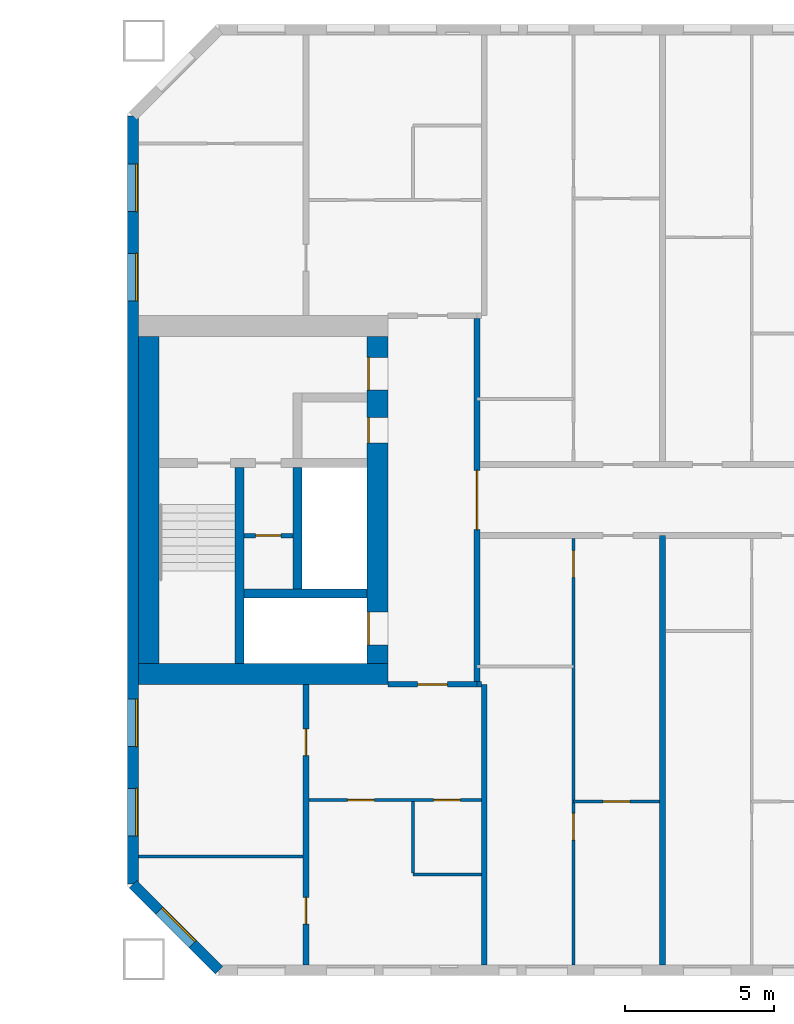
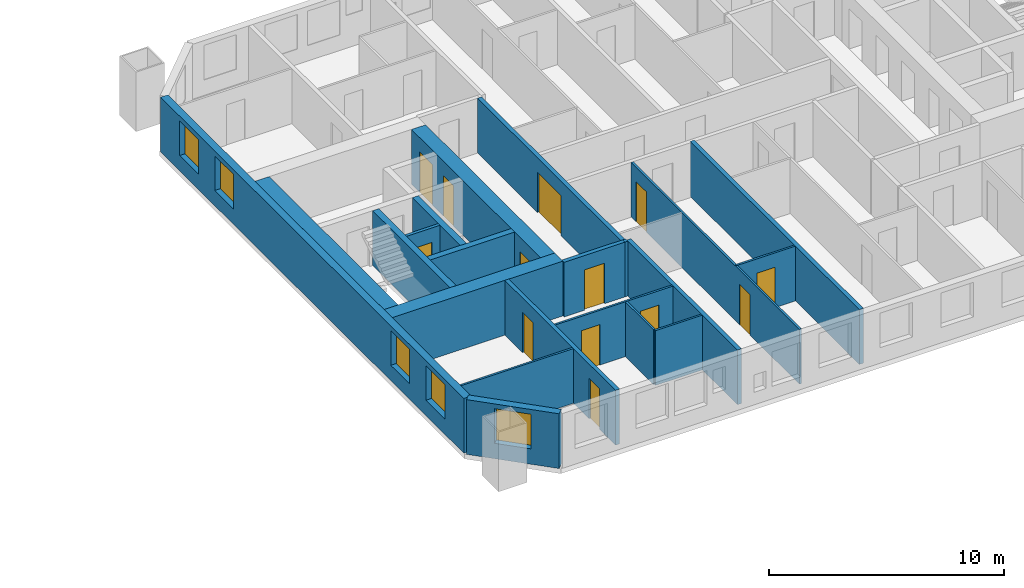
# One storey, part 9 of 17: 21 walls, 13 doors, 5 windows, 18 openings.
"""IFC4 building model written with IfcOpenShell, lengths in metres."""

from ifc_helpers import new_model, si_unit, direction, frame, frame_2d, origin, place, context, subcontext, project, spatial, rectangle, extrude, material, layer, layer_set, type_object, element, fill, save


model = new_model("IFC4")

# Units and contexts
model_context = context("Model", 3, precision=1e-05, world=origin(), true_north=direction((0.0, 1.0)))
body_context = subcontext(model_context, "Body", "Model", "MODEL_VIEW")
ifc_project = project(units=[si_unit("LENGTHUNIT", "METRE"), si_unit("AREAUNIT", "SQUARE_METRE"), si_unit("VOLUMEUNIT", "CUBIC_METRE"), si_unit("PLANEANGLEUNIT", "RADIAN"), si_unit("MASSUNIT", "GRAM", prefix="KILO")], contexts=[model_context])

# Site, building, storey
site_placement = place(None, origin())
site = spatial("IfcSite", under=ifc_project, at=site_placement, CompositionType="ELEMENT")
building_placement = place(site_placement, origin())
building = spatial("IfcBuilding", under=site, at=building_placement, Name="Tuart Gate Housing", CompositionType="ELEMENT")
storey_placement = place(building_placement, frame((0.0, 0.0, 77.800048828125)))
storey = spatial("IfcBuildingStorey", under=building, at=storey_placement, Name="L21", CompositionType="ELEMENT", Elevation=77.800048828125)

# Wall, opening, window
ifc_material_1 = material(Name="Brick", Category="masonry")
ifc_layer_1 = layer(ifc_material_1, 0.360107421875)
ifc_layer_set_1 = layer_set([ifc_layer_1], Name="Brick pier and spandrel wall 360")
wall_type_1 = type_object("IfcWallType", Name="Brick pier and spandrel wall 360", PredefinedType="STANDARD", material=ifc_layer_set_1)
wall_1_placement = place(storey_placement, frame((131.179931640625, 57.07470703125, 0.0), z_axis=(0.0, 0.0, 1.0), x_axis=(0.707106781187, -0.707106781187, 0.0)))
wall_1 = element("IfcWall", 1, at=wall_1_placement, inside=storey, type_object=wall_type_1, Name="External wall B-SW L21", PredefinedType="STANDARD", context=body_context, shape_type="SweptSolid", body=[
    extrude(rectangle(XDim=4.09375, YDim=0.360107421875, at=frame_2d((2.046875, 0.0))), origin(), (0.0, 0.0, 1.0), 2.849853515625),
])
opening_1_placement = place(wall_1_placement, frame((1.2470703125, 0.0, 0.800048828125)))
opening_1 = element("IfcOpeningElement", 2, at=opening_1_placement, cuts=wall_1, Name="Opening W1", PredefinedType="OPENING", context=body_context, shape_type="SweptSolid", body=[
    extrude(rectangle(XDim=1.60009765625, YDim=1.800048828125, at=frame_2d((0.800048828125, 0.89990234375))), frame((0.0, 0.18994140625, 0.0), z_axis=(0.0, -1.0, 0.0), x_axis=(1.0, 0.0, 0.0)), (0.0, 0.0, 1.0), 0.380126953125),
])
ifc_material_2 = material(Name="Aluminium frame with clear glass", Category="aluminium")
window_type = type_object("IfcWindowType", Name="Punched window 1600 x 1800", PartitioningType="SINGLE_PANEL", PredefinedType="WINDOW", material=ifc_material_2)
window_1_placement = place(opening_1_placement, origin())
window_1 = element("IfcWindow", 3, at=window_1_placement, inside=storey, type_object=window_type, Name="Window W1", OverallHeight=1.800048828125, OverallWidth=1.60009765625, PartitioningType="SINGLE_PANEL", PredefinedType="WINDOW", context=body_context, shape_type="SweptSolid", body=[
    extrude(rectangle(XDim=1.60009765625, YDim=1.800048828125, at=frame_2d((0.800048828125, 0.89990234375))), frame((0.0, 0.150146484375, 0.0), z_axis=(0.0, -1.0, 0.0), x_axis=(1.0, 0.0, 0.0)), (0.0, 0.0, 1.0), 0.06005859375),
])
fill(opening_1, window_1)

# Wall, openings, windows
wall_2_placement = place(storey_placement, frame((131.179931640625, 82.92529296875, 0.0), z_axis=(0.0, 0.0, 1.0), x_axis=(0.0, -1.0, 0.0)))
wall_2 = element("IfcWall", 4, at=wall_2_placement, inside=storey, type_object=wall_type_1, Name="External wall B-W L21", PredefinedType="STANDARD", context=body_context, shape_type="SweptSolid", body=[
    extrude(rectangle(XDim=25.850830078125, YDim=0.360107421875, at=frame_2d((12.92529296875, 0.0))), origin(), (0.0, 0.0, 1.0), 2.849853515625),
])
opening_2_placement = place(wall_2_placement, frame((1.62548828125, 0.0, 0.800048828125)))
opening_2 = element("IfcOpeningElement", 5, at=opening_2_placement, cuts=wall_2, Name="Opening W1", PredefinedType="OPENING", context=body_context, shape_type="SweptSolid", body=[
    extrude(rectangle(XDim=1.60009765625, YDim=1.800048828125, at=frame_2d((0.800048828125, 0.89990234375))), frame((0.0, 0.18994140625, 0.0), z_axis=(0.0, -1.0, 0.0), x_axis=(1.0, 0.0, 0.0)), (0.0, 0.0, 1.0), 0.380126953125),
])
opening_3_placement = place(wall_2_placement, frame((4.62548828125, 0.0, 0.800048828125)))
opening_3 = element("IfcOpeningElement", 6, at=opening_3_placement, cuts=wall_2, Name="Opening W1", PredefinedType="OPENING", context=body_context, shape_type="SweptSolid", body=[
    extrude(rectangle(XDim=1.60009765625, YDim=1.800048828125, at=frame_2d((0.800048828125, 0.89990234375))), frame((0.0, 0.18994140625, 0.0), z_axis=(0.0, -1.0, 0.0), x_axis=(1.0, 0.0, 0.0)), (0.0, 0.0, 1.0), 0.380126953125),
])
opening_4_placement = place(wall_2_placement, frame((19.62548828125, 0.0, 0.800048828125)))
opening_4 = element("IfcOpeningElement", 7, at=opening_4_placement, cuts=wall_2, Name="Opening W1", PredefinedType="OPENING", context=body_context, shape_type="SweptSolid", body=[
    extrude(rectangle(XDim=1.60009765625, YDim=1.800048828125, at=frame_2d((0.800048828125, 0.89990234375))), frame((0.0, 0.18994140625, 0.0), z_axis=(0.0, -1.0, 0.0), x_axis=(1.0, 0.0, 0.0)), (0.0, 0.0, 1.0), 0.380126953125),
])
opening_5_placement = place(wall_2_placement, frame((22.62548828125, 0.0, 0.800048828125)))
opening_5 = element("IfcOpeningElement", 8, at=opening_5_placement, cuts=wall_2, Name="Opening W1", PredefinedType="OPENING", context=body_context, shape_type="SweptSolid", body=[
    extrude(rectangle(XDim=1.60009765625, YDim=1.800048828125, at=frame_2d((0.800048828125, 0.89990234375))), frame((0.0, 0.18994140625, 0.0), z_axis=(0.0, -1.0, 0.0), x_axis=(1.0, 0.0, 0.0)), (0.0, 0.0, 1.0), 0.380126953125),
])
window_2_placement = place(opening_2_placement, origin())
window_2 = element("IfcWindow", 9, at=window_2_placement, inside=storey, type_object=window_type, Name="Window W1", OverallHeight=1.800048828125, OverallWidth=1.60009765625, PartitioningType="SINGLE_PANEL", PredefinedType="WINDOW", context=body_context, shape_type="SweptSolid", body=[
    extrude(rectangle(XDim=1.60009765625, YDim=1.800048828125, at=frame_2d((0.800048828125, 0.89990234375))), frame((0.0, 0.150146484375, 0.0), z_axis=(0.0, -1.0, 0.0), x_axis=(1.0, 0.0, 0.0)), (0.0, 0.0, 1.0), 0.06005859375),
])
fill(opening_2, window_2)
window_3_placement = place(opening_3_placement, origin())
window_3 = element("IfcWindow", 10, at=window_3_placement, inside=storey, type_object=window_type, Name="Window W1", OverallHeight=1.800048828125, OverallWidth=1.60009765625, PartitioningType="SINGLE_PANEL", PredefinedType="WINDOW", context=body_context, shape_type="SweptSolid", body=[
    extrude(rectangle(XDim=1.60009765625, YDim=1.800048828125, at=frame_2d((0.800048828125, 0.89990234375))), frame((0.0, 0.150146484375, 0.0), z_axis=(0.0, -1.0, 0.0), x_axis=(1.0, 0.0, 0.0)), (0.0, 0.0, 1.0), 0.06005859375),
])
fill(opening_3, window_3)
window_4_placement = place(opening_4_placement, origin())
window_4 = element("IfcWindow", 11, at=window_4_placement, inside=storey, type_object=window_type, Name="Window W1", OverallHeight=1.800048828125, OverallWidth=1.60009765625, PartitioningType="SINGLE_PANEL", PredefinedType="WINDOW", context=body_context, shape_type="SweptSolid", body=[
    extrude(rectangle(XDim=1.60009765625, YDim=1.800048828125, at=frame_2d((0.800048828125, 0.89990234375))), frame((0.0, 0.150146484375, 0.0), z_axis=(0.0, -1.0, 0.0), x_axis=(1.0, 0.0, 0.0)), (0.0, 0.0, 1.0), 0.06005859375),
])
fill(opening_4, window_4)
window_5_placement = place(opening_5_placement, origin())
window_5 = element("IfcWindow", 12, at=window_5_placement, inside=storey, type_object=window_type, Name="Window W1", OverallHeight=1.800048828125, OverallWidth=1.60009765625, PartitioningType="SINGLE_PANEL", PredefinedType="WINDOW", context=body_context, shape_type="SweptSolid", body=[
    extrude(rectangle(XDim=1.60009765625, YDim=1.800048828125, at=frame_2d((0.800048828125, 0.89990234375))), frame((0.0, 0.150146484375, 0.0), z_axis=(0.0, -1.0, 0.0), x_axis=(1.0, 0.0, 0.0)), (0.0, 0.0, 1.0), 0.06005859375),
])
fill(opening_5, window_5)

# Wall, opening, door
ifc_material_3 = material(Name="Plasterboard partition")
ifc_layer_2 = layer(ifc_material_3, 0.14990234375)
ifc_layer_set_2 = layer_set([ifc_layer_2], Name="Core partition 150")
wall_type_2 = type_object("IfcWallType", Name="Core partition 150", PredefinedType="PARTITIONING", material=ifc_layer_set_2)
wall_3_placement = place(storey_placement, frame((136.56005859375, 68.800048828125, 0.0), z_axis=(0.0, 0.0, 1.0), x_axis=(-1.0, 0.0, 0.0)))
wall_3 = element("IfcWall", 13, at=wall_3_placement, inside=storey, type_object=wall_type_2, Name="Core partition BG.2", PredefinedType="PARTITIONING", context=body_context, shape_type="SweptSolid", body=[
    extrude(rectangle(XDim=1.650146484375, YDim=0.14990234375, at=frame_2d((0.8251953125, 0.0))), origin(), (0.0, 0.0, 1.0), 2.849853515625),
])
opening_6_placement = place(wall_3_placement, frame((0.39990234375, 0.0, 0.0)))
opening_6 = element("IfcOpeningElement", 14, at=opening_6_placement, cuts=wall_3, Name="Opening D927", PredefinedType="OPENING", context=body_context, shape_type="SweptSolid", body=[
    extrude(rectangle(XDim=0.85009765625, YDim=2.10009765625, at=frame_2d((0.425048828125, 1.050048828125))), frame((0.0, 0.0849609375, 0.0), z_axis=(0.0, -1.0, 0.0), x_axis=(1.0, 0.0, 0.0)), (0.0, 0.0, 1.0), 0.169921875),
])
ifc_material_4 = material(Name="Steel fire door", Category="steel")
door_type_1 = type_object("IfcDoorType", Name="Service door 850 x 2100 RH", OperationType="SINGLE_SWING_RIGHT", PredefinedType="DOOR", material=ifc_material_4)
door_1_placement = place(opening_6_placement, frame((0.85009765625, 0.0, 0.0), z_axis=(0.0, 0.0, 1.0), x_axis=(-1.0, 0.0, 0.0)))
door_1 = element("IfcDoor", 15, at=door_1_placement, inside=storey, type_object=door_type_1, Name="Service room door BG.W2", OperationType="SINGLE_SWING_RIGHT", OverallHeight=2.10009765625, OverallWidth=0.85009765625, PredefinedType="DOOR", context=body_context, shape_type="SweptSolid", body=[
    extrude(rectangle(XDim=0.85009765625, YDim=2.10009765625, at=frame_2d((0.425048828125, 1.050048828125))), frame((0.0, 0.025146484375, 0.0), z_axis=(0.0, -1.0, 0.0), x_axis=(1.0, 0.0, 0.0)), (0.0, 0.0, 1.0), 0.050048828125),
])
fill(opening_6, door_1)

# Walls
ifc_material_5 = material(Name="Concrete C50", Category="concrete")
ifc_layer_3 = layer(ifc_material_5, 0.300048828125)
ifc_layer_set_3 = layer_set([ifc_layer_3], Name="Core wall 300 C50")
wall_type_3 = type_object("IfcWallType", Name="Core wall 300 C50", PredefinedType="SHEAR", material=ifc_layer_set_3)
wall_4_placement = place(storey_placement, frame((139.06005859375, 66.85009765625, 0.0), z_axis=(0.0, 0.0, 1.0), x_axis=(-1.0, 0.0, 0.0)))
element("IfcWall", 16, at=wall_4_placement, inside=storey, type_object=wall_type_3, Name="Core wall BG.1", PredefinedType="SHEAR", context=body_context, shape_type="SweptSolid", body=[
    extrude(rectangle(XDim=4.150146484375, YDim=0.300048828125, at=frame_2d((2.0751953125, 0.0))), origin(), (0.0, 0.0, 1.0), 2.849853515625),
])
wall_5_placement = place(storey_placement, frame((136.7099609375, 67.0, 0.0), z_axis=(0.0, 0.0, 1.0), x_axis=(0.0, 1.0, 0.0)))
element("IfcWall", 17, at=wall_5_placement, inside=storey, type_object=wall_type_3, Name="Core wall BG.5", PredefinedType="SHEAR", context=body_context, shape_type="SweptSolid", body=[
    extrude(rectangle(XDim=4.10009765625, YDim=0.300048828125, at=frame_2d((2.050048828125, 0.0))), origin(), (0.0, 0.0, 1.0), 2.849853515625),
])
wall_6_placement = place(storey_placement, frame((134.760009765625, 64.5, 0.0), z_axis=(0.0, 0.0, 1.0), x_axis=(0.0, 1.0, 0.0)))
element("IfcWall", 18, at=wall_6_placement, inside=storey, type_object=wall_type_3, Name="Core wall BG.7", PredefinedType="SHEAR", context=body_context, shape_type="SweptSolid", body=[
    extrude(rectangle(XDim=6.60009765625, YDim=0.300048828125, at=frame_2d((3.300048828125, 0.0))), origin(), (0.0, 0.0, 1.0), 2.849853515625),
])

# Wall, openings, doors
ifc_material_6 = material(Name="Concrete C50", Category="concrete")
ifc_layer_4 = layer(ifc_material_6, 0.699951171875)
ifc_layer_set_4 = layer_set([ifc_layer_4], Name="Core wall 700 C50")
wall_type_4 = type_object("IfcWallType", Name="Core wall 700 C50", PredefinedType="SHEAR", material=ifc_layer_set_4)
wall_7_placement = place(storey_placement, frame((139.409912109375, 64.5, 0.0), z_axis=(0.0, 0.0, 1.0), x_axis=(0.0, 1.0, 0.0)))
wall_7 = element("IfcWall", 19, at=wall_7_placement, inside=storey, type_object=wall_type_4, Name="Core wall BG front", PredefinedType="SHEAR", context=body_context, shape_type="SweptSolid", body=[
    extrude(rectangle(XDim=11.0, YDim=0.699951171875, at=frame_2d((5.5, 0.0))), origin(), (0.0, 0.0, 1.0), 2.849853515625),
])
opening_7_placement = place(wall_7_placement, frame((0.625, 0.0, 0.0)))
opening_7 = element("IfcOpeningElement", 20, at=opening_7_placement, cuts=wall_7, Name="Opening LD-FB1", PredefinedType="OPENING", context=body_context, shape_type="SweptSolid", body=[
    extrude(rectangle(XDim=1.10009765625, YDim=2.10009765625, at=frame_2d((0.550048828125, 1.050048828125))), frame((0.0, 0.35986328125, 0.0), z_axis=(0.0, -1.0, 0.0), x_axis=(1.0, 0.0, 0.0)), (0.0, 0.0, 1.0), 0.719970703125),
])
opening_8_placement = place(wall_7_placement, frame((9.199951171875, 0.0, 0.0)))
opening_8 = element("IfcOpeningElement", 21, at=opening_8_placement, cuts=wall_7, Name="Opening D919", PredefinedType="OPENING", context=body_context, shape_type="SweptSolid", body=[
    extrude(rectangle(XDim=1.10009765625, YDim=2.10009765625, at=frame_2d((0.550048828125, 1.050048828125))), frame((0.0, 0.35986328125, 0.0), z_axis=(0.0, -1.0, 0.0), x_axis=(1.0, 0.0, 0.0)), (0.0, 0.0, 1.0), 0.719970703125),
])
opening_9_placement = place(wall_7_placement, frame((7.425048828125, 0.0, 0.0)))
opening_9 = element("IfcOpeningElement", 22, at=opening_9_placement, cuts=wall_7, Name="Opening D920", PredefinedType="OPENING", context=body_context, shape_type="SweptSolid", body=[
    extrude(rectangle(XDim=0.85009765625, YDim=2.10009765625, at=frame_2d((0.425048828125, 1.050048828125))), frame((0.0, 0.35986328125, 0.0), z_axis=(0.0, -1.0, 0.0), x_axis=(1.0, 0.0, 0.0)), (0.0, 0.0, 1.0), 0.719970703125),
])
ifc_material_7 = material(Name="Stainless steel", Category="steel")
door_type_2 = type_object("IfcDoorType", Name="Landing door 1100 x 2100", OperationType="DOUBLE_DOOR_SLIDING", PredefinedType="DOOR", material=ifc_material_7)
door_2_placement = place(opening_7_placement, origin())
door_2 = element("IfcDoor", 23, at=door_2_placement, inside=storey, type_object=door_type_2, Name="Lift landing door FB1", OperationType="DOUBLE_DOOR_SLIDING", OverallHeight=2.10009765625, OverallWidth=1.10009765625, PredefinedType="DOOR", context=body_context, shape_type="SweptSolid", body=[
    extrude(rectangle(XDim=1.10009765625, YDim=2.10009765625, at=frame_2d((0.550048828125, 1.050048828125))), frame((0.0, 0.3349609375, 0.0), z_axis=(0.0, -1.0, 0.0), x_axis=(1.0, 0.0, 0.0)), (0.0, 0.0, 1.0), 0.050048828125),
])
fill(opening_7, door_2)
ifc_material_8 = material(Name="Steel fire door", Category="steel")
door_type_3 = type_object("IfcDoorType", Name="Lobby door 1100 x 2100", OperationType="SINGLE_SWING_LEFT", PredefinedType="DOOR", material=ifc_material_8)
door_3_placement = place(opening_8_placement, origin())
door_3 = element("IfcDoor", 24, at=door_3_placement, inside=storey, type_object=door_type_3, Name="Lobby entry door BG.EN", OperationType="SINGLE_SWING_LEFT", OverallHeight=2.10009765625, OverallWidth=1.10009765625, PredefinedType="DOOR", context=body_context, shape_type="SweptSolid", body=[
    extrude(rectangle(XDim=1.10009765625, YDim=2.10009765625, at=frame_2d((0.550048828125, 1.050048828125))), frame((0.0, 0.3349609375, 0.0), z_axis=(0.0, -1.0, 0.0), x_axis=(1.0, 0.0, 0.0)), (0.0, 0.0, 1.0), 0.050048828125),
])
fill(opening_8, door_3)
ifc_material_9 = material(Name="Steel fire door", Category="steel")
door_type_4 = type_object("IfcDoorType", Name="Service door 850 x 2100", OperationType="SINGLE_SWING_LEFT", PredefinedType="DOOR", material=ifc_material_9)
door_4_placement = place(opening_9_placement, origin())
door_4 = element("IfcDoor", 25, at=door_4_placement, inside=storey, type_object=door_type_4, Name="Service room door BG.T1", OperationType="SINGLE_SWING_LEFT", OverallHeight=2.10009765625, OverallWidth=0.85009765625, PredefinedType="DOOR", context=body_context, shape_type="SweptSolid", body=[
    extrude(rectangle(XDim=0.85009765625, YDim=2.10009765625, at=frame_2d((0.425048828125, 1.050048828125))), frame((0.0, 0.3349609375, 0.0), z_axis=(0.0, -1.0, 0.0), x_axis=(1.0, 0.0, 0.0)), (0.0, 0.0, 1.0), 0.050048828125),
])
fill(opening_9, door_4)

# Walls
wall_8_placement = place(storey_placement, frame((131.7099609375, 64.5, 0.0), z_axis=(0.0, 0.0, 1.0), x_axis=(0.0, 1.0, 0.0)))
element("IfcWall", 26, at=wall_8_placement, inside=storey, type_object=wall_type_4, Name="Core wall BG back", PredefinedType="SHEAR", context=body_context, shape_type="SweptSolid", body=[
    extrude(rectangle(XDim=11.0, YDim=0.699951171875, at=frame_2d((5.5, 0.0))), origin(), (0.0, 0.0, 1.0), 2.849853515625),
])
wall_9_placement = place(storey_placement, frame((139.760009765625, 64.14990234375, 0.0), z_axis=(0.0, 0.0, 1.0), x_axis=(-1.0, 0.0, 0.0)))
element("IfcWall", 27, at=wall_9_placement, inside=storey, type_object=wall_type_4, Name="Core wall BG south", PredefinedType="SHEAR", context=body_context, shape_type="SweptSolid", body=[
    extrude(rectangle(XDim=8.39990234375, YDim=0.699951171875, at=frame_2d((4.199951171875, 0.0))), origin(), (0.0, 0.0, 1.0), 2.849853515625),
])

# Wall, opening, door
ifc_material_10 = material(Name="Concrete masonry 15 MPa", Category="masonry")
ifc_layer_5 = layer(ifc_material_10, 0.199951171875)
ifc_layer_set_5 = layer_set([ifc_layer_5], Name="Enclosure wall masonry 200")
wall_type_5 = type_object("IfcWallType", Name="Enclosure wall masonry 200", PredefinedType="PARTITIONING", material=ifc_layer_set_5)
wall_10_placement = place(storey_placement, frame((139.760009765625, 63.800048828125, 0.0), z_axis=(0.0, 0.0, 1.0), x_axis=(1.0, 0.0, 0.0)))
wall_10 = element("IfcWall", 28, at=wall_10_placement, inside=storey, type_object=wall_type_5, Name="Enclosure wall masonry 200", PredefinedType="PARTITIONING", context=body_context, shape_type="SweptSolid", body=[
    extrude(rectangle(XDim=3.0, YDim=0.199951171875, at=frame_2d((1.5, 0.0))), origin(), (0.0, 0.0, 1.0), 2.849853515625),
])
opening_10_placement = place(wall_10_placement, frame((1.0, 0.0, 0.0)))
opening_10 = element("IfcOpeningElement", 29, at=opening_10_placement, cuts=wall_10, Name="Opening D932", PredefinedType="OPENING", context=body_context, shape_type="SweptSolid", body=[
    extrude(rectangle(XDim=1.0, YDim=2.10009765625, at=frame_2d((0.5, 1.050048828125))), frame((0.0, 0.10986328125, 0.0), z_axis=(0.0, -1.0, 0.0), x_axis=(1.0, 0.0, 0.0)), (0.0, 0.0, 1.0), 0.219970703125),
])
ifc_material_11 = material(Name="Timber door leaf in steel frame", Category="steel")
door_type_5 = type_object("IfcDoorType", Name="Flat entrance door 1000", OperationType="SINGLE_SWING_LEFT", PredefinedType="DOOR", material=ifc_material_11)
door_5_placement = place(opening_10_placement, frame((1.0, 0.0, 0.0), z_axis=(0.0, 0.0, 1.0), x_axis=(-1.0, 0.0, 0.0)))
door_5 = element("IfcDoor", 30, at=door_5_placement, inside=storey, type_object=door_type_5, Name="Flat entrance door", OperationType="SINGLE_SWING_LEFT", OverallHeight=2.10009765625, OverallWidth=1.0, PredefinedType="DOOR", context=body_context, shape_type="SweptSolid", body=[
    extrude(rectangle(XDim=1.0, YDim=2.10009765625, at=frame_2d((0.5, 1.050048828125))), frame((0.0, 0.025146484375, 0.0), z_axis=(0.0, -1.0, 0.0), x_axis=(1.0, 0.0, 0.0)), (0.0, 0.0, 1.0), 0.050048828125),
])
fill(opening_10, door_5)

ifc_material_12 = material(Name="Plasterboard partition")
ifc_layer_6 = layer(ifc_material_12, 0.199951171875)
ifc_layer_set_6 = layer_set([ifc_layer_6], Name="Lobby wall 200")
wall_type_6 = type_object("IfcWallType", Name="Lobby wall 200", PredefinedType="PARTITIONING", material=ifc_layer_set_6)
wall_11_placement = place(storey_placement, frame((142.760009765625, 63.89990234375, 0.0), z_axis=(0.0, 0.0, 1.0), x_axis=(0.0, 1.0, 0.0)))
wall_11 = element("IfcWall", 31, at=wall_11_placement, inside=storey, type_object=wall_type_6, Name="Lift lobby wall BG", PredefinedType="PARTITIONING", context=body_context, shape_type="SweptSolid", body=[
    extrude(rectangle(XDim=12.2001953125, YDim=0.199951171875, at=frame_2d((6.10009765625, 0.0))), origin(), (0.0, 0.0, 1.0), 2.849853515625),
])
opening_11_placement = place(wall_11_placement, frame((5.10009765625, 0.0, 0.0)))
opening_11 = element("IfcOpeningElement", 32, at=opening_11_placement, cuts=wall_11, Name="Opening D921", PredefinedType="OPENING", context=body_context, shape_type="SweptSolid", body=[
    extrude(rectangle(XDim=2.0, YDim=2.10009765625, at=frame_2d((1.0, 1.050048828125))), frame((0.0, 0.10986328125, 0.0), z_axis=(0.0, -1.0, 0.0), x_axis=(1.0, 0.0, 0.0)), (0.0, 0.0, 1.0), 0.219970703125),
])
ifc_material_13 = material(Name="Steel fire door", Category="steel")
door_type_6 = type_object("IfcDoorType", Name="Smoke door 2000 x 2100", OperationType="DOUBLE_DOOR_SINGLE_SWING", PredefinedType="DOOR", material=ifc_material_13)
door_6_placement = place(opening_11_placement, origin())
door_6 = element("IfcDoor", 33, at=door_6_placement, inside=storey, type_object=door_type_6, Name="Lift lobby smoke door BG", OperationType="DOUBLE_DOOR_SINGLE_SWING", OverallHeight=2.10009765625, OverallWidth=2.0, PredefinedType="DOOR", context=body_context, shape_type="SweptSolid", body=[
    extrude(rectangle(XDim=2.0, YDim=2.10009765625, at=frame_2d((1.0, 1.050048828125))), frame((0.0, 0.02490234375, 0.0), z_axis=(0.0, -1.0, 0.0), x_axis=(1.0, 0.0, 0.0)), (0.0, 0.0, 1.0), 0.050048828125),
])
fill(opening_11, door_6)

# Walls
ifc_material_14 = material(Name="Gypsum board on steel studs", Category="steel")
ifc_layer_7 = layer(ifc_material_14, 0.10009765625)
ifc_layer_set_7 = layer_set([ifc_layer_7], Name="Partition 100")
wall_type_7 = type_object("IfcWallType", Name="Partition 100", PredefinedType="PARTITIONING", material=ifc_layer_set_7)
wall_12_placement = place(storey_placement, frame((140.60009765625, 57.39990234375, 0.0), z_axis=(0.0, 0.0, 1.0), x_axis=(1.0, 0.0, 0.0)))
element("IfcWall", 34, at=wall_12_placement, inside=storey, type_object=wall_type_7, Name="Partition 100", PredefinedType="PARTITIONING", context=body_context, shape_type="SweptSolid", body=[
    extrude(rectangle(XDim=2.2998046875, YDim=0.10009765625, at=frame_2d((1.14990234375, 0.0))), origin(), (0.0, 0.0, 1.0), 2.849853515625),
])
wall_13_placement = place(storey_placement, frame((131.360107421875, 58.0, 0.0), z_axis=(0.0, 0.0, 1.0), x_axis=(1.0, 0.0, 0.0)))
element("IfcWall", 35, at=wall_13_placement, inside=storey, type_object=wall_type_7, Name="Partition 100", PredefinedType="PARTITIONING", context=body_context, shape_type="SweptSolid", body=[
    extrude(rectangle(XDim=5.539794921875, YDim=0.10009765625, at=frame_2d((2.77001953125, 0.0))), origin(), (0.0, 0.0, 1.0), 2.849853515625),
])

# Wall, opening, door
wall_14_placement = place(storey_placement, frame((146.0, 59.860107421875, 0.0), z_axis=(0.0, 0.0, 1.0), x_axis=(1.0, 0.0, 0.0)))
wall_14 = element("IfcWall", 36, at=wall_14_placement, inside=storey, type_object=wall_type_7, Name="Partition 100", PredefinedType="PARTITIONING", context=body_context, shape_type="SweptSolid", body=[
    extrude(rectangle(XDim=2.89990234375, YDim=0.10009765625, at=frame_2d((1.449951171875, 0.0))), origin(), (0.0, 0.0, 1.0), 2.849853515625),
])
opening_12_placement = place(wall_14_placement, frame((1.0, 0.0, 0.0)))
opening_12 = element("IfcOpeningElement", 37, at=opening_12_placement, cuts=wall_14, Name="Opening D944", PredefinedType="OPENING", context=body_context, shape_type="SweptSolid", body=[
    extrude(rectangle(XDim=0.89990234375, YDim=2.10009765625, at=frame_2d((0.449951171875, 1.050048828125))), frame((0.0, 0.06005859375, 0.0), z_axis=(0.0, -1.0, 0.0), x_axis=(1.0, 0.0, 0.0)), (0.0, 0.0, 1.0), 0.1201171875),
])
ifc_material_15 = material(Name="Timber door leaf in steel frame", Category="steel")
door_type_7 = type_object("IfcDoorType", Name="Internal door 900", OperationType="SINGLE_SWING_LEFT", PredefinedType="DOOR", material=ifc_material_15)
door_7_placement = place(opening_12_placement, origin())
door_7 = element("IfcDoor", 38, at=door_7_placement, inside=storey, type_object=door_type_7, Name="Internal door", OperationType="SINGLE_SWING_LEFT", OverallHeight=2.10009765625, OverallWidth=0.89990234375, PredefinedType="DOOR", context=body_context, shape_type="SweptSolid", body=[
    extrude(rectangle(XDim=0.89990234375, YDim=2.10009765625, at=frame_2d((0.449951171875, 1.050048828125))), frame((0.0, 0.02490234375, 0.0), z_axis=(0.0, -1.0, 0.0), x_axis=(1.0, 0.0, 0.0)), (0.0, 0.0, 1.0), 0.050048828125),
])
fill(opening_12, door_7)

# Wall, openings, doors
wall_15_placement = place(storey_placement, frame((137.10009765625, 59.89990234375, 0.0), z_axis=(0.0, 0.0, 1.0), x_axis=(1.0, 0.0, 0.0)))
wall_15 = element("IfcWall", 39, at=wall_15_placement, inside=storey, type_object=wall_type_7, Name="Partition 100", PredefinedType="PARTITIONING", context=body_context, shape_type="SweptSolid", body=[
    extrude(rectangle(XDim=5.7998046875, YDim=0.10009765625, at=frame_2d((2.89990234375, 0.0))), origin(), (0.0, 0.0, 1.0), 2.849853515625),
])
opening_13_placement = place(wall_15_placement, frame((1.300048828125, 0.0, 0.0)))
opening_13 = element("IfcOpeningElement", 40, at=opening_13_placement, cuts=wall_15, Name="Opening D942", PredefinedType="OPENING", context=body_context, shape_type="SweptSolid", body=[
    extrude(rectangle(XDim=0.89990234375, YDim=2.10009765625, at=frame_2d((0.449951171875, 1.050048828125))), frame((0.0, 0.06005859375, 0.0), z_axis=(0.0, -1.0, 0.0), x_axis=(1.0, 0.0, 0.0)), (0.0, 0.0, 1.0), 0.1201171875),
])
opening_14_placement = place(wall_15_placement, frame((4.199951171875, 0.0, 0.0)))
opening_14 = element("IfcOpeningElement", 41, at=opening_14_placement, cuts=wall_15, Name="Opening D941", PredefinedType="OPENING", context=body_context, shape_type="SweptSolid", body=[
    extrude(rectangle(XDim=0.89990234375, YDim=2.10009765625, at=frame_2d((0.449951171875, 1.050048828125))), frame((0.0, 0.06005859375, 0.0), z_axis=(0.0, -1.0, 0.0), x_axis=(1.0, 0.0, 0.0)), (0.0, 0.0, 1.0), 0.1201171875),
])
ifc_material_16 = material(Name="Timber door leaf in steel frame", Category="steel")
door_type_8 = type_object("IfcDoorType", Name="Bathroom door 900 RH", OperationType="SINGLE_SWING_RIGHT", PredefinedType="DOOR", material=ifc_material_16)
door_8_placement = place(opening_14_placement, frame((0.89990234375, 0.0, 0.0), z_axis=(0.0, 0.0, 1.0), x_axis=(-1.0, 0.0, 0.0)))
door_8 = element("IfcDoor", 42, at=door_8_placement, inside=storey, type_object=door_type_8, Name="Bathroom door", OperationType="SINGLE_SWING_RIGHT", OverallHeight=2.10009765625, OverallWidth=0.89990234375, PredefinedType="DOOR", context=body_context, shape_type="SweptSolid", body=[
    extrude(rectangle(XDim=0.89990234375, YDim=2.10009765625, at=frame_2d((0.449951171875, 1.050048828125))), frame((0.0, 0.025146484375, 0.0), z_axis=(0.0, -1.0, 0.0), x_axis=(1.0, 0.0, 0.0)), (0.0, 0.0, 1.0), 0.050048828125),
])
fill(opening_14, door_8)
door_9_placement = place(opening_13_placement, origin())
door_9 = element("IfcDoor", 43, at=door_9_placement, inside=storey, type_object=door_type_7, Name="Internal door", OperationType="SINGLE_SWING_LEFT", OverallHeight=2.10009765625, OverallWidth=0.89990234375, PredefinedType="DOOR", context=body_context, shape_type="SweptSolid", body=[
    extrude(rectangle(XDim=0.89990234375, YDim=2.10009765625, at=frame_2d((0.449951171875, 1.050048828125))), frame((0.0, 0.02490234375, 0.0), z_axis=(0.0, -1.0, 0.0), x_axis=(1.0, 0.0, 0.0)), (0.0, 0.0, 1.0), 0.050048828125),
])
fill(opening_13, door_9)

# Wall
wall_16_placement = place(storey_placement, frame((140.60009765625, 57.449951171875, 0.0), z_axis=(0.0, 0.0, 1.0), x_axis=(0.0, 1.0, 0.0)))
element("IfcWall", 44, at=wall_16_placement, inside=storey, type_object=wall_type_7, Name="Partition 100", PredefinedType="PARTITIONING", context=body_context, shape_type="SweptSolid", body=[
    extrude(rectangle(XDim=2.400146484375, YDim=0.10009765625, at=frame_2d((1.2001953125, 0.0))), origin(), (0.0, 0.0, 1.0), 2.849853515625),
])

# Wall, openings, doors
wall_17_placement = place(storey_placement, frame((146.0, 54.360107421875, 0.0), z_axis=(0.0, 0.0, 1.0), x_axis=(0.0, 1.0, 0.0)))
wall_17 = element("IfcWall", 45, at=wall_17_placement, inside=storey, type_object=wall_type_7, Name="Partition 100", PredefinedType="PARTITIONING", context=body_context, shape_type="SweptSolid", body=[
    extrude(rectangle(XDim=14.33984375, YDim=0.10009765625, at=frame_2d((7.169921875, 0.0))), origin(), (0.0, 0.0, 1.0), 2.849853515625),
])
opening_15_placement = place(wall_17_placement, frame((4.199951171875, 0.0, 0.0)))
opening_15 = element("IfcOpeningElement", 46, at=opening_15_placement, cuts=wall_17, Name="Opening D935", PredefinedType="OPENING", context=body_context, shape_type="SweptSolid", body=[
    extrude(rectangle(XDim=0.89990234375, YDim=2.10009765625, at=frame_2d((0.449951171875, 1.050048828125))), frame((0.0, 0.06005859375, 0.0), z_axis=(0.0, -1.0, 0.0), x_axis=(1.0, 0.0, 0.0)), (0.0, 0.0, 1.0), 0.1201171875),
])
opening_16_placement = place(wall_17_placement, frame((13.0400390625, 0.0, 0.0)))
opening_16 = element("IfcOpeningElement", 47, at=opening_16_placement, cuts=wall_17, Name="Opening D934", PredefinedType="OPENING", context=body_context, shape_type="SweptSolid", body=[
    extrude(rectangle(XDim=0.89990234375, YDim=2.10009765625, at=frame_2d((0.449951171875, 1.050048828125))), frame((0.0, 0.06005859375, 0.0), z_axis=(0.0, -1.0, 0.0), x_axis=(1.0, 0.0, 0.0)), (0.0, 0.0, 1.0), 0.1201171875),
])
door_10_placement = place(opening_16_placement, origin())
door_10 = element("IfcDoor", 48, at=door_10_placement, inside=storey, type_object=door_type_8, Name="Bathroom door", OperationType="SINGLE_SWING_RIGHT", OverallHeight=2.10009765625, OverallWidth=0.89990234375, PredefinedType="DOOR", context=body_context, shape_type="SweptSolid", body=[
    extrude(rectangle(XDim=0.89990234375, YDim=2.10009765625, at=frame_2d((0.449951171875, 1.050048828125))), frame((0.0, 0.02490234375, 0.0), z_axis=(0.0, -1.0, 0.0), x_axis=(1.0, 0.0, 0.0)), (0.0, 0.0, 1.0), 0.050048828125),
])
fill(opening_16, door_10)
door_11_placement = place(opening_15_placement, origin())
door_11 = element("IfcDoor", 49, at=door_11_placement, inside=storey, type_object=door_type_7, Name="Internal door", OperationType="SINGLE_SWING_LEFT", OverallHeight=2.10009765625, OverallWidth=0.89990234375, PredefinedType="DOOR", context=body_context, shape_type="SweptSolid", body=[
    extrude(rectangle(XDim=0.89990234375, YDim=2.10009765625, at=frame_2d((0.449951171875, 1.050048828125))), frame((0.0, 0.02490234375, 0.0), z_axis=(0.0, -1.0, 0.0), x_axis=(1.0, 0.0, 0.0)), (0.0, 0.0, 1.0), 0.050048828125),
])
fill(opening_15, door_11)

ifc_material_17 = material(Name="Concrete C40", Category="concrete")
ifc_layer_8 = layer(ifc_material_17, 0.199951171875)
ifc_layer_set_8 = layer_set([ifc_layer_8], Name="Party wall concrete C40 200")
wall_type_8 = type_object("IfcWallType", Name="Party wall concrete C40 200", PredefinedType="SOLIDWALL", material=ifc_layer_set_8)
wall_18_placement = place(storey_placement, frame((137.0, 54.360107421875, 0.0), z_axis=(0.0, 0.0, 1.0), x_axis=(0.0, 1.0, 0.0)))
wall_18 = element("IfcWall", 50, at=wall_18_placement, inside=storey, type_object=wall_type_8, Name="Party wall concrete C40 200", PredefinedType="SOLIDWALL", context=body_context, shape_type="SweptSolid", body=[
    extrude(rectangle(XDim=9.43994140625, YDim=0.199951171875, at=frame_2d((4.719970703125, 0.0))), origin(), (0.0, 0.0, 1.0), 2.849853515625),
])
opening_17_placement = place(wall_18_placement, frame((1.3701171875, 0.0, 0.0)))
opening_17 = element("IfcOpeningElement", 51, at=opening_17_placement, cuts=wall_18, Name="Opening D948", PredefinedType="OPENING", context=body_context, shape_type="SweptSolid", body=[
    extrude(rectangle(XDim=0.89990234375, YDim=2.10009765625, at=frame_2d((0.449951171875, 1.050048828125))), frame((0.0, 0.10986328125, 0.0), z_axis=(0.0, -1.0, 0.0), x_axis=(1.0, 0.0, 0.0)), (0.0, 0.0, 1.0), 0.219970703125),
])
opening_18_placement = place(wall_18_placement, frame((7.0400390625, 0.0, 0.0)))
opening_18 = element("IfcOpeningElement", 52, at=opening_18_placement, cuts=wall_18, Name="Opening D949", PredefinedType="OPENING", context=body_context, shape_type="SweptSolid", body=[
    extrude(rectangle(XDim=0.89990234375, YDim=2.10009765625, at=frame_2d((0.449951171875, 1.050048828125))), frame((0.0, 0.10986328125, 0.0), z_axis=(0.0, -1.0, 0.0), x_axis=(1.0, 0.0, 0.0)), (0.0, 0.0, 1.0), 0.219970703125),
])
door_12_placement = place(opening_17_placement, origin())
door_12 = element("IfcDoor", 53, at=door_12_placement, inside=storey, type_object=door_type_7, Name="Internal door", OperationType="SINGLE_SWING_LEFT", OverallHeight=2.10009765625, OverallWidth=0.89990234375, PredefinedType="DOOR", context=body_context, shape_type="SweptSolid", body=[
    extrude(rectangle(XDim=0.89990234375, YDim=2.10009765625, at=frame_2d((0.449951171875, 1.050048828125))), frame((0.0, 0.02490234375, 0.0), z_axis=(0.0, -1.0, 0.0), x_axis=(1.0, 0.0, 0.0)), (0.0, 0.0, 1.0), 0.050048828125),
])
fill(opening_17, door_12)
ifc_material_18 = material(Name="Timber door leaf in steel frame", Category="steel")
door_type_9 = type_object("IfcDoorType", Name="Internal door 900 RH", OperationType="SINGLE_SWING_RIGHT", PredefinedType="DOOR", material=ifc_material_18)
door_13_placement = place(opening_18_placement, origin())
door_13 = element("IfcDoor", 54, at=door_13_placement, inside=storey, type_object=door_type_9, Name="Internal door", OperationType="SINGLE_SWING_RIGHT", OverallHeight=2.10009765625, OverallWidth=0.89990234375, PredefinedType="DOOR", context=body_context, shape_type="SweptSolid", body=[
    extrude(rectangle(XDim=0.89990234375, YDim=2.10009765625, at=frame_2d((0.449951171875, 1.050048828125))), frame((0.0, 0.02490234375, 0.0), z_axis=(0.0, -1.0, 0.0), x_axis=(1.0, 0.0, 0.0)), (0.0, 0.0, 1.0), 0.050048828125),
])
fill(opening_18, door_13)

# Walls
wall_19_placement = place(storey_placement, frame((143.0, 54.360107421875, 0.0), z_axis=(0.0, 0.0, 1.0), x_axis=(0.0, 1.0, 0.0)))
element("IfcWall", 55, at=wall_19_placement, inside=storey, type_object=wall_type_8, Name="Party wall concrete C40 200", PredefinedType="SOLIDWALL", context=body_context, shape_type="SweptSolid", body=[
    extrude(rectangle(XDim=9.43994140625, YDim=0.199951171875, at=frame_2d((4.719970703125, 0.0))), origin(), (0.0, 0.0, 1.0), 2.849853515625),
])
wall_20_placement = place(storey_placement, frame((149.0, 54.360107421875, 0.0), z_axis=(0.0, 0.0, 1.0), x_axis=(0.0, 1.0, 0.0)))
element("IfcWall", 56, at=wall_20_placement, inside=storey, type_object=wall_type_8, Name="Party wall concrete C40 200", PredefinedType="SOLIDWALL", context=body_context, shape_type="SweptSolid", body=[
    extrude(rectangle(XDim=14.43994140625, YDim=0.199951171875, at=frame_2d((7.219970703125, 0.0))), origin(), (0.0, 0.0, 1.0), 2.849853515625),
])
ifc_material_19 = material(Name="Concrete masonry 15 MPa", Category="masonry")
ifc_layer_9 = layer(ifc_material_19, 0.199951171875)
ifc_layer_set_9 = layer_set([ifc_layer_9], Name="Party wall masonry 200")
wall_type_9 = type_object("IfcWallType", Name="Party wall masonry 200", PredefinedType="PARTITIONING", material=ifc_layer_set_9)
wall_21_placement = place(storey_placement, frame((142.760009765625, 63.800048828125, 0.0), z_axis=(0.0, 0.0, 1.0), x_axis=(1.0, 0.0, 0.0)))
element("IfcWall", 57, at=wall_21_placement, inside=storey, type_object=wall_type_9, Name="Party wall masonry 200", PredefinedType="PARTITIONING", context=body_context, shape_type="SweptSolid", body=[
    extrude(rectangle(XDim=0.139892578125, YDim=0.199951171875, at=frame_2d((0.06982421875, 0.0))), origin(), (0.0, 0.0, 1.0), 2.849853515625),
])

save(model, "model.ifc")
